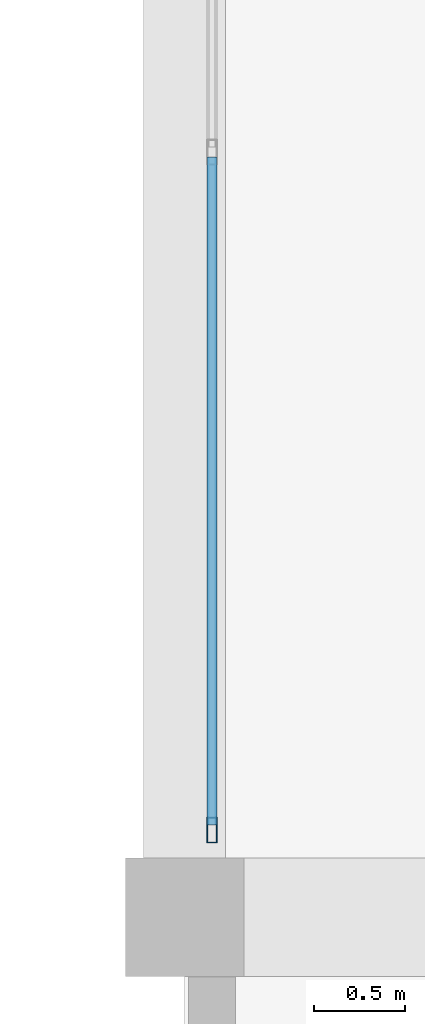
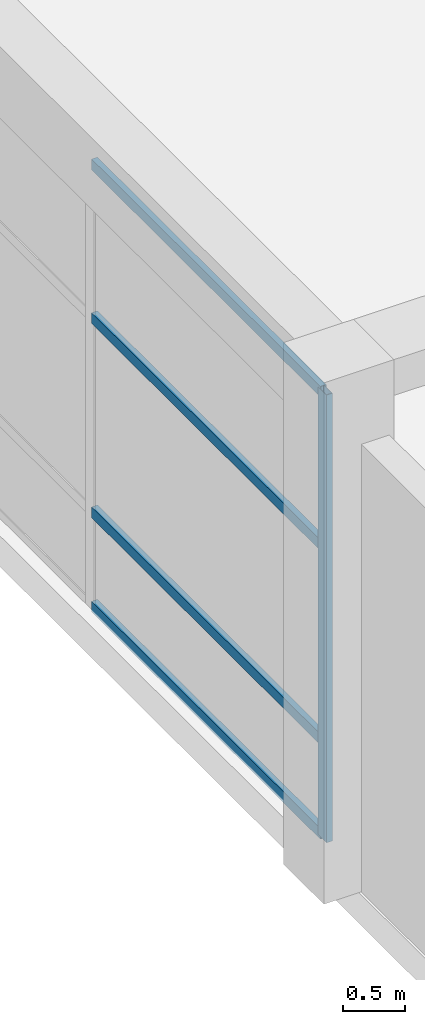
# One storey, part 15 of 95: 5 members, 1 element without a shape of its own.
"""IFC4 building model written with IfcOpenShell, lengths in metres."""

from ifc_helpers import new_model, si_unit, direction, frame, origin, origin_2d, place, context, subcontext, project, spatial, hollow_rectangle, extrude, material, material_profile, profile_set, type_object, element, aggregate, save


model = new_model("IFC4")

# Units and contexts
model_context = context("Model", 3, precision=1e-05, world=origin(), true_north=direction((0.0, 1.0)))
body_context = subcontext(model_context, "Body", "Model", "MODEL_VIEW")
ifc_project = project(units=[si_unit("LENGTHUNIT", "METRE"), si_unit("AREAUNIT", "SQUARE_METRE"), si_unit("VOLUMEUNIT", "CUBIC_METRE"), si_unit("PLANEANGLEUNIT", "RADIAN"), si_unit("MASSUNIT", "GRAM", prefix="KILO")], contexts=[model_context])

# Site, building, storey
site_placement = place(None, origin())
site = spatial("IfcSite", under=ifc_project, at=site_placement, CompositionType="ELEMENT")
building_placement = place(site_placement, origin())
building = spatial("IfcBuilding", under=site, at=building_placement, Name="Almacenes y Pasaje Nevantli", CompositionType="ELEMENT")
storey_placement = place(building_placement, frame((0.0, 0.0, 11.39990234375)))
storey = spatial("IfcBuildingStorey", under=building, at=storey_placement, Name="L03", CompositionType="ELEMENT", Elevation=11.39990234375)

# Curtain wall, members
ifc_material_1 = material(Name="Thermally Broken Aluminium and Low-E Glass", Category="aluminium")
curtain_wall_type = type_object("IfcCurtainWallType", Name="CW-UNIT-PODIUM", PredefinedType="USERDEFINED", material=ifc_material_1)
curtain_wall_placement = place(storey_placement, origin())
curtain_wall = element("IfcCurtainWall", 1, at=curtain_wall_placement, inside=storey, type_object=curtain_wall_type, Name="L03 West Avenue Unitized Curtain Wall Bay 4", ObjectType="UNITIZED CURTAIN WALL", PredefinedType="USERDEFINED")
ifc_material_2 = material(Name="Thermally Broken Anodized Aluminium", Category="aluminium")
ifc_material_profile_1 = material_profile(ifc_material_2, hollow_rectangle(XDim=0.054931640625, YDim=0.139892578125, WallThickness=0.00341796875, at=origin_2d()), Name="ALU-MUL-55x140")
ifc_profile_set_1 = profile_set([ifc_material_profile_1], Name="Thermally Broken Anodized Aluminium")
member_type_1 = type_object("IfcMemberType", Name="CW-MUL-160", PredefinedType="MULLION", material=ifc_profile_set_1)
member_1_placement = place(storey_placement, frame((0.14990234375, 25.677490234375, 0.0), z_axis=(0.0, 0.0, 1.0), x_axis=(-1.0, 0.0, 0.0)))
member_1 = element("IfcMember", 2, at=member_1_placement, type_object=member_type_1, Name="CW-L03-048 mullion 1", PredefinedType="MULLION", context=body_context, shape_type="SweptSolid", body=[
    extrude(hollow_rectangle(XDim=0.054931640625, YDim=0.139892578125, WallThickness=0.00341796875, at=origin_2d()), origin(), (0.0, 0.0, 1.0), 4.380126953125),
])
ifc_material_3 = material(Name="Thermally Broken Anodized Aluminium", Category="aluminium")
ifc_material_profile_2 = material_profile(ifc_material_3, hollow_rectangle(XDim=0.054931640625, YDim=0.10498046875, WallThickness=0.003173828125, at=origin_2d()), Name="ALU-TRN-55x105")
ifc_profile_set_2 = profile_set([ifc_material_profile_2], Name="Thermally Broken Anodized Aluminium")
member_type_2 = type_object("IfcMemberType", Name="CW-TRN-120", PredefinedType="USERDEFINED", material=ifc_profile_set_2)
member_2_placement = place(storey_placement, frame((0.14990234375, 25.705078125, 0.027587890625), z_axis=(0.0, 1.0, 0.0), x_axis=(-1.0, 0.0, 0.0)))
member_2 = element("IfcMember", 3, at=member_2_placement, type_object=member_type_2, Name="CW-L03-048 transom 1.1", ObjectType="TRANSOM", PredefinedType="USERDEFINED", context=body_context, shape_type="SweptSolid", body=[
    extrude(hollow_rectangle(XDim=0.054931640625, YDim=0.10498046875, WallThickness=0.003173828125, at=origin_2d()), origin(), (0.0, 0.0, 1.0), 3.66748046875),
])
member_3_placement = place(storey_placement, frame((0.14990234375, 25.705078125, 0.9501953125), z_axis=(0.0, 1.0, 0.0), x_axis=(-1.0, 0.0, 0.0)))
member_3 = element("IfcMember", 4, at=member_3_placement, type_object=member_type_2, Name="CW-L03-048 transom 1.2", ObjectType="TRANSOM", PredefinedType="USERDEFINED", context=body_context, shape_type="SweptSolid", body=[
    extrude(hollow_rectangle(XDim=0.054931640625, YDim=0.10498046875, WallThickness=0.003173828125, at=origin_2d()), origin(), (0.0, 0.0, 1.0), 3.66748046875),
])
member_4_placement = place(storey_placement, frame((0.14990234375, 25.705078125, 2.85009765625), z_axis=(0.0, 1.0, 0.0), x_axis=(-1.0, 0.0, 0.0)))
member_4 = element("IfcMember", 5, at=member_4_placement, type_object=member_type_2, Name="CW-L03-048 transom 1.3", ObjectType="TRANSOM", PredefinedType="USERDEFINED", context=body_context, shape_type="SweptSolid", body=[
    extrude(hollow_rectangle(XDim=0.054931640625, YDim=0.10498046875, WallThickness=0.003173828125, at=origin_2d()), origin(), (0.0, 0.0, 1.0), 3.66748046875),
])
member_5_placement = place(storey_placement, frame((0.14990234375, 25.705078125, 4.3525390625), z_axis=(0.0, 1.0, 0.0), x_axis=(-1.0, 0.0, 0.0)))
member_5 = element("IfcMember", 6, at=member_5_placement, type_object=member_type_2, Name="CW-L03-048 transom 1.4", ObjectType="TRANSOM", PredefinedType="USERDEFINED", context=body_context, shape_type="SweptSolid", body=[
    extrude(hollow_rectangle(XDim=0.054931640625, YDim=0.10498046875, WallThickness=0.003173828125, at=origin_2d()), origin(), (0.0, 0.0, 1.0), 3.66748046875),
])
aggregate(curtain_wall, [member_1, member_2, member_3, member_4, member_5])

save(model, "model.ifc")
